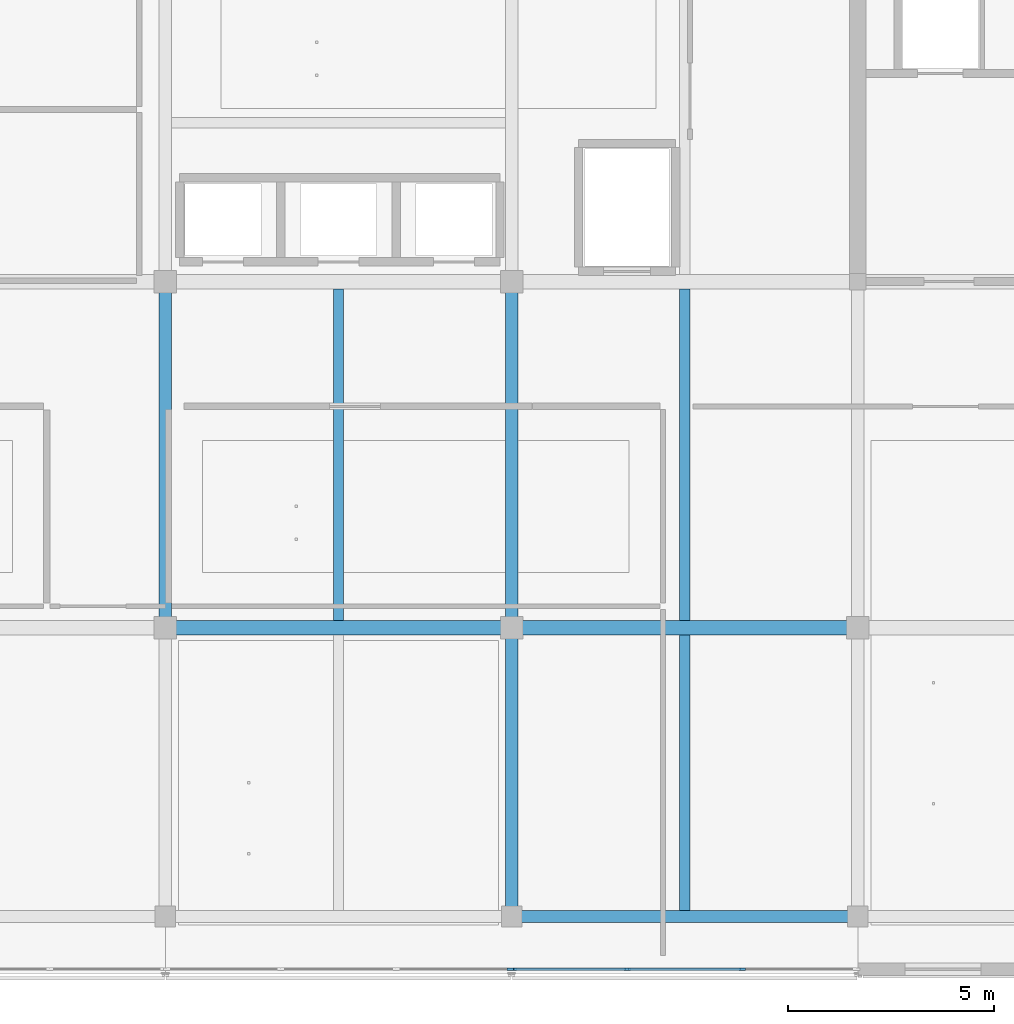
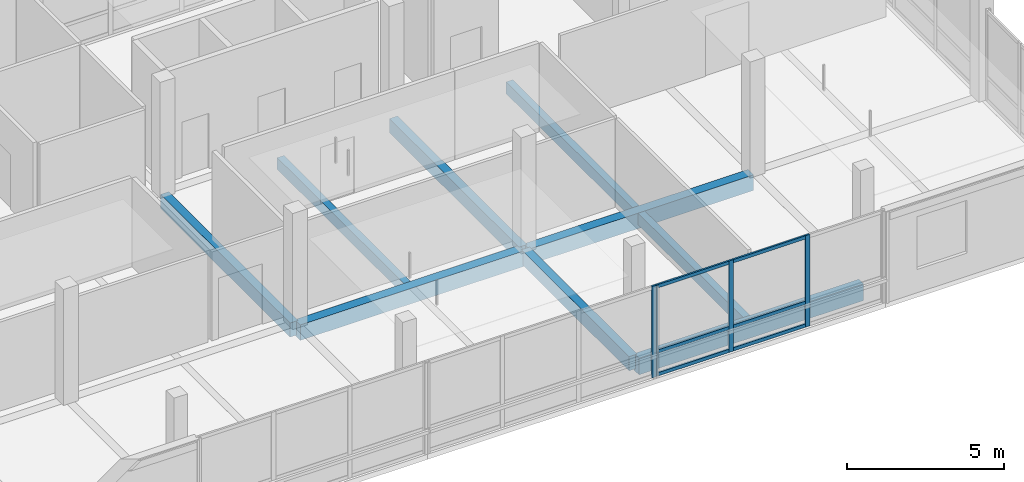
# One storey, part 3 of 20: 10 members, 9 beams, 2 elements without a shape of their own.
"""IFC4 building model written with IfcOpenShell, lengths in metres."""

from ifc_helpers import new_model, si_unit, direction, frame, origin, origin_2d, place, context, subcontext, project, spatial, rectangle, extrude, material, layer, layer_set, material_profile, profile_set, type_object, element, aggregate, save


model = new_model("IFC4")

# Units and contexts
model_context = context("Model", 3, precision=1e-05, world=origin(), true_north=direction((0.0, 1.0)))
body_context = subcontext(model_context, "Body", "Model", "MODEL_VIEW")
ifc_project = project(units=[si_unit("LENGTHUNIT", "METRE"), si_unit("AREAUNIT", "SQUARE_METRE"), si_unit("VOLUMEUNIT", "CUBIC_METRE"), si_unit("PLANEANGLEUNIT", "RADIAN"), si_unit("MASSUNIT", "GRAM", prefix="KILO")], contexts=[model_context])

# Site, building, storey
site_placement = place(None, origin())
site = spatial("IfcSite", under=ifc_project, at=site_placement, CompositionType="ELEMENT")
building_placement = place(site_placement, origin())
building = spatial("IfcBuilding", under=site, at=building_placement, Name="Telukmera Botanical Conservatory", CompositionType="ELEMENT")
storey_placement = place(building_placement, frame((0.0, 0.0, 69.0)))
storey = spatial("IfcBuildingStorey", under=building, at=storey_placement, Name="L15", CompositionType="ELEMENT", Elevation=69.0)

# Beams
ifc_material_1 = material(Name="Concrete C40/50", Category="concrete")
ifc_material_profile_1 = material_profile(ifc_material_1, rectangle(XDim=0.300048828125, YDim=0.550048828125, at=origin_2d()), Name="RC 300x550")
ifc_profile_set_1 = profile_set([ifc_material_profile_1], Name="Concrete C40/50")
beam_type_1 = type_object("IfcBeamType", Name="Beam_B10", PredefinedType="BEAM", material=ifc_profile_set_1)
beam_1_placement = place(storey_placement, frame((75.60009765625, 17.679931640625, -0.27490234375), z_axis=(0.0, 1.0, 0.0), x_axis=(-1.0, 0.0, 0.0)))
element("IfcBeam", 1, at=beam_1_placement, inside=storey, type_object=beam_type_1, Name="Tower Transverse Beam L15", PredefinedType="BEAM", context=body_context, shape_type="SweptSolid", body=[
    extrude(rectangle(XDim=0.300048828125, YDim=0.550048828125, at=origin_2d()), origin(), (0.0, 0.0, 1.0), 8.239990234375),
])
beam_2_placement = place(storey_placement, frame((84.0, 10.679931640625, -0.27490234375), z_axis=(0.0, 1.0, 0.0), x_axis=(-1.0, 0.0, 0.0)))
element("IfcBeam", 2, at=beam_2_placement, inside=storey, type_object=beam_type_1, Name="Tower Transverse Beam L15", PredefinedType="BEAM", context=body_context, shape_type="SweptSolid", body=[
    extrude(rectangle(XDim=0.300048828125, YDim=0.550048828125, at=origin_2d()), origin(), (0.0, 0.0, 1.0), 6.840087890625),
])
beam_3_placement = place(storey_placement, frame((84.0, 17.679931640625, -0.27490234375), z_axis=(0.0, 1.0, 0.0), x_axis=(-1.0, 0.0, 0.0)))
element("IfcBeam", 3, at=beam_3_placement, inside=storey, type_object=beam_type_1, Name="Tower Transverse Beam L15", PredefinedType="BEAM", context=body_context, shape_type="SweptSolid", body=[
    extrude(rectangle(XDim=0.300048828125, YDim=0.550048828125, at=origin_2d()), origin(), (0.0, 0.0, 1.0), 8.239990234375),
])
ifc_material_profile_2 = material_profile(ifc_material_1, rectangle(XDim=0.25, YDim=0.449951171875, at=origin_2d()), Name="RC 250x450")
ifc_profile_set_2 = profile_set([ifc_material_profile_2], Name="Concrete C40/50")
beam_type_2 = type_object("IfcBeamType", Name="Beam_B27", PredefinedType="JOIST", material=ifc_profile_set_2)
beam_4_placement = place(storey_placement, frame((79.800048828125, 17.77490234375, -0.22509765625), z_axis=(0.0, 1.0, 0.0), x_axis=(-1.0, 0.0, 0.0)))
element("IfcBeam", 4, at=beam_4_placement, inside=storey, type_object=beam_type_2, Name="Tower Secondary Floor Joist L15", PredefinedType="JOIST", context=body_context, shape_type="SweptSolid", body=[
    extrude(rectangle(XDim=0.25, YDim=0.449951171875, at=origin_2d()), origin(), (0.0, 0.0, 1.0), 8.050048828125),
])
beam_5_placement = place(storey_placement, frame((88.199951171875, 10.75, -0.22509765625), z_axis=(0.0, 1.0, 0.0), x_axis=(-1.0, 0.0, 0.0)))
element("IfcBeam", 5, at=beam_5_placement, inside=storey, type_object=beam_type_2, Name="Tower Secondary Floor Joist L15", PredefinedType="JOIST", context=body_context, shape_type="SweptSolid", body=[
    extrude(rectangle(XDim=0.25, YDim=0.449951171875, at=origin_2d()), origin(), (0.0, 0.0, 1.0), 6.675048828125),
])
beam_6_placement = place(storey_placement, frame((88.199951171875, 17.77490234375, -0.22509765625), z_axis=(0.0, 1.0, 0.0), x_axis=(-1.0, 0.0, 0.0)))
element("IfcBeam", 6, at=beam_6_placement, inside=storey, type_object=beam_type_2, Name="Tower Secondary Floor Joist L15", PredefinedType="JOIST", context=body_context, shape_type="SweptSolid", body=[
    extrude(rectangle(XDim=0.25, YDim=0.449951171875, at=origin_2d()), origin(), (0.0, 0.0, 1.0), 8.050048828125),
])
ifc_material_profile_3 = material_profile(ifc_material_1, rectangle(XDim=0.35009765625, YDim=0.60009765625, at=origin_2d()), Name="RC 350x600")
ifc_profile_set_3 = profile_set([ifc_material_profile_3], Name="Concrete C40/50")
beam_type_3 = type_object("IfcBeamType", Name="Beam_B9", PredefinedType="BEAM", material=ifc_profile_set_3)
for number, where, z_axis, x_axis, name in (
    (7, (75.679931640625, 17.60009765625, -0.300048828125), (1.0, 0.0, 0.0), (0.0, 1.0, 0.0), "Tower Grid Beam L15"),
    (8, (84.080078125, 17.60009765625, -0.300048828125), (1.0, 0.0, 0.0), (0.0, 1.0, 0.0), "Tower Grid Beam L15"),
):
    element("IfcBeam", number, at=place(storey_placement, frame(where, z_axis=z_axis, x_axis=x_axis)), inside=storey, type_object=beam_type_3, Name=name, PredefinedType="BEAM", context=body_context, shape_type="SweptSolid", body=[
        extrude(rectangle(XDim=0.35009765625, YDim=0.60009765625, at=origin_2d()), origin(), (0.0, 0.0, 1.0), 8.239990234375),
    ])
ifc_material_2 = material(Name="Precast concrete C40/50", Category="concrete")
ifc_material_profile_4 = material_profile(ifc_material_2, rectangle(XDim=0.300048828125, YDim=0.64990234375, at=origin_2d()), Name="PC 300x650")
ifc_profile_set_4 = profile_set([ifc_material_profile_4], Name="Precast concrete C40/50")
beam_type_4 = type_object("IfcBeamType", Name="Beam_SP4", PredefinedType="SPANDREL", material=ifc_profile_set_4)
beam_7_placement = place(storey_placement, frame((84.080078125, 10.60009765625, -0.324951171875), z_axis=(1.0, 0.0, 0.0), x_axis=(0.0, 1.0, 0.0)))
element("IfcBeam", 9, at=beam_7_placement, inside=storey, type_object=beam_type_4, Name="Tower Grid Beam L15", PredefinedType="SPANDREL", context=body_context, shape_type="SweptSolid", body=[
    extrude(rectangle(XDim=0.300048828125, YDim=0.64990234375, at=origin_2d()), origin(), (0.0, 0.0, 1.0), 8.239990234375),
])

# Curtain wall, member
ifc_material_3 = material(Name="Anodised aluminium 6063-T6", Category="aluminium")
ifc_layer = layer(ifc_material_3, 0.179931640625)
ifc_layer_set = layer_set([ifc_layer], Name="Anodised aluminium 6063-T6")
curtain_wall_type = type_object("IfcCurtainWallType", Name="Tower Sky Gallery Panoramic Curtain Wall", PredefinedType="USERDEFINED", material=ifc_layer_set)
curtain_wall_1_placement = place(storey_placement, origin())
curtain_wall_1 = element("IfcCurtainWall", 10, at=curtain_wall_1_placement, inside=storey, type_object=curtain_wall_type, Name="Unitised Curtain Wall CW16 V4:L15:S3", ObjectType="UNITISED CURTAIN WALL", PredefinedType="USERDEFINED")
ifc_material_profile_5 = material_profile(ifc_material_3, rectangle(XDim=0.06494140625, YDim=0.159912109375, at=origin_2d()), Name="ALU MULL 65x160")
ifc_profile_set_5 = profile_set([ifc_material_profile_5], Name="Anodised aluminium 6063-T6")
member_type_1 = type_object("IfcMemberType", Name="Curtain Wall Extruded Mullion 65x160", PredefinedType="MULLION", material=ifc_profile_set_5)
member_1_placement = place(storey_placement, frame((83.965576171875, 9.320068359375, 0.0), z_axis=(0.0, 0.0, 1.0), x_axis=(0.0, 1.0, 0.0)))
member_1 = element("IfcMember", 11, at=member_1_placement, type_object=member_type_1, Name="CW16 mullion 4", PredefinedType="MULLION", context=body_context, shape_type="SweptSolid", body=[
    extrude(rectangle(XDim=0.06494140625, YDim=0.159912109375, at=origin_2d()), origin(), (0.0, 0.0, 1.0), 3.550048828125),
])
aggregate(curtain_wall_1, [member_1])

# Curtain wall, members
curtain_wall_2_placement = place(storey_placement, origin())
curtain_wall_2 = element("IfcCurtainWall", 12, at=curtain_wall_2_placement, inside=storey, type_object=curtain_wall_type, Name="Unitised Curtain Wall CW16 V4:L15:S4", ObjectType="UNITISED CURTAIN WALL", PredefinedType="USERDEFINED")
member_2_placement = place(storey_placement, frame((84.034423828125, 9.320068359375, 0.0), z_axis=(0.0, 0.0, 1.0), x_axis=(0.0, 1.0, 0.0)))
member_2 = element("IfcMember", 13, at=member_2_placement, type_object=member_type_1, Name="CW16 mullion 1", PredefinedType="MULLION", context=body_context, shape_type="SweptSolid", body=[
    extrude(rectangle(XDim=0.06494140625, YDim=0.159912109375, at=origin_2d()), origin(), (0.0, 0.0, 1.0), 3.550048828125),
])
member_3_placement = place(storey_placement, frame((86.80078125, 9.320068359375, 0.0), z_axis=(0.0, 0.0, 1.0), x_axis=(0.0, 1.0, 0.0)))
member_3 = element("IfcMember", 14, at=member_3_placement, type_object=member_type_1, Name="CW16 mullion 2", PredefinedType="MULLION", context=body_context, shape_type="SweptSolid", body=[
    extrude(rectangle(XDim=0.06494140625, YDim=0.159912109375, at=origin_2d()), origin(), (0.0, 0.0, 1.0), 3.550048828125),
])
member_4_placement = place(storey_placement, frame((89.599365234375, 9.320068359375, 0.0), z_axis=(0.0, 0.0, 1.0), x_axis=(0.0, 1.0, 0.0)))
member_4 = element("IfcMember", 15, at=member_4_placement, type_object=member_type_1, Name="CW16 mullion 3", PredefinedType="MULLION", context=body_context, shape_type="SweptSolid", body=[
    extrude(rectangle(XDim=0.06494140625, YDim=0.159912109375, at=origin_2d()), origin(), (0.0, 0.0, 1.0), 3.550048828125),
])
ifc_material_profile_6 = material_profile(ifc_material_3, rectangle(XDim=0.06494140625, YDim=0.1298828125, at=origin_2d()), Name="ALU TRAN 65x130")
ifc_profile_set_6 = profile_set([ifc_material_profile_6], Name="Anodised aluminium 6063-T6")
member_type_2 = type_object("IfcMemberType", Name="Curtain Wall Extruded Transom 65x130", PredefinedType="USERDEFINED", material=ifc_profile_set_6)
member_5_placement = place(storey_placement, frame((84.06689453125, 9.320068359375, 0.06494140625), z_axis=(1.0, 0.0, 0.0), x_axis=(0.0, 1.0, 0.0)))
member_5 = element("IfcMember", 16, at=member_5_placement, type_object=member_type_2, Name="CW16 transom 1.1", ObjectType="TRANSOM", PredefinedType="USERDEFINED", context=body_context, shape_type="SweptSolid", body=[
    extrude(rectangle(XDim=0.06494140625, YDim=0.1298828125, at=origin_2d()), origin(), (0.0, 0.0, 1.0), 2.701171875),
])
member_6_placement = place(storey_placement, frame((84.06689453125, 9.320068359375, 0.949951171875), z_axis=(1.0, 0.0, 0.0), x_axis=(0.0, 1.0, 0.0)))
member_6 = element("IfcMember", 17, at=member_6_placement, type_object=member_type_2, Name="CW16 transom 1.2", ObjectType="TRANSOM", PredefinedType="USERDEFINED", context=body_context, shape_type="SweptSolid", body=[
    extrude(rectangle(XDim=0.06494140625, YDim=0.1298828125, at=origin_2d()), origin(), (0.0, 0.0, 1.0), 2.701171875),
])
member_7_placement = place(storey_placement, frame((84.06689453125, 9.320068359375, 3.485107421875), z_axis=(1.0, 0.0, 0.0), x_axis=(0.0, 1.0, 0.0)))
member_7 = element("IfcMember", 18, at=member_7_placement, type_object=member_type_2, Name="CW16 transom 1.3", ObjectType="TRANSOM", PredefinedType="USERDEFINED", context=body_context, shape_type="SweptSolid", body=[
    extrude(rectangle(XDim=0.06494140625, YDim=0.1298828125, at=origin_2d()), origin(), (0.0, 0.0, 1.0), 2.701171875),
])
member_8_placement = place(storey_placement, frame((86.833251953125, 9.320068359375, 0.06494140625), z_axis=(1.0, 0.0, 0.0), x_axis=(0.0, 1.0, 0.0)))
member_8 = element("IfcMember", 19, at=member_8_placement, type_object=member_type_2, Name="CW16 transom 2.1", ObjectType="TRANSOM", PredefinedType="USERDEFINED", context=body_context, shape_type="SweptSolid", body=[
    extrude(rectangle(XDim=0.06494140625, YDim=0.1298828125, at=origin_2d()), origin(), (0.0, 0.0, 1.0), 2.733642578125),
])
member_9_placement = place(storey_placement, frame((86.833251953125, 9.320068359375, 0.949951171875), z_axis=(1.0, 0.0, 0.0), x_axis=(0.0, 1.0, 0.0)))
member_9 = element("IfcMember", 20, at=member_9_placement, type_object=member_type_2, Name="CW16 transom 2.2", ObjectType="TRANSOM", PredefinedType="USERDEFINED", context=body_context, shape_type="SweptSolid", body=[
    extrude(rectangle(XDim=0.06494140625, YDim=0.1298828125, at=origin_2d()), origin(), (0.0, 0.0, 1.0), 2.733642578125),
])
member_10_placement = place(storey_placement, frame((86.833251953125, 9.320068359375, 3.485107421875), z_axis=(1.0, 0.0, 0.0), x_axis=(0.0, 1.0, 0.0)))
member_10 = element("IfcMember", 21, at=member_10_placement, type_object=member_type_2, Name="CW16 transom 2.3", ObjectType="TRANSOM", PredefinedType="USERDEFINED", context=body_context, shape_type="SweptSolid", body=[
    extrude(rectangle(XDim=0.06494140625, YDim=0.1298828125, at=origin_2d()), origin(), (0.0, 0.0, 1.0), 2.733642578125),
])
aggregate(curtain_wall_2, [member_2, member_3, member_4, member_5, member_6, member_7, member_8, member_9, member_10])

save(model, "model.ifc")
